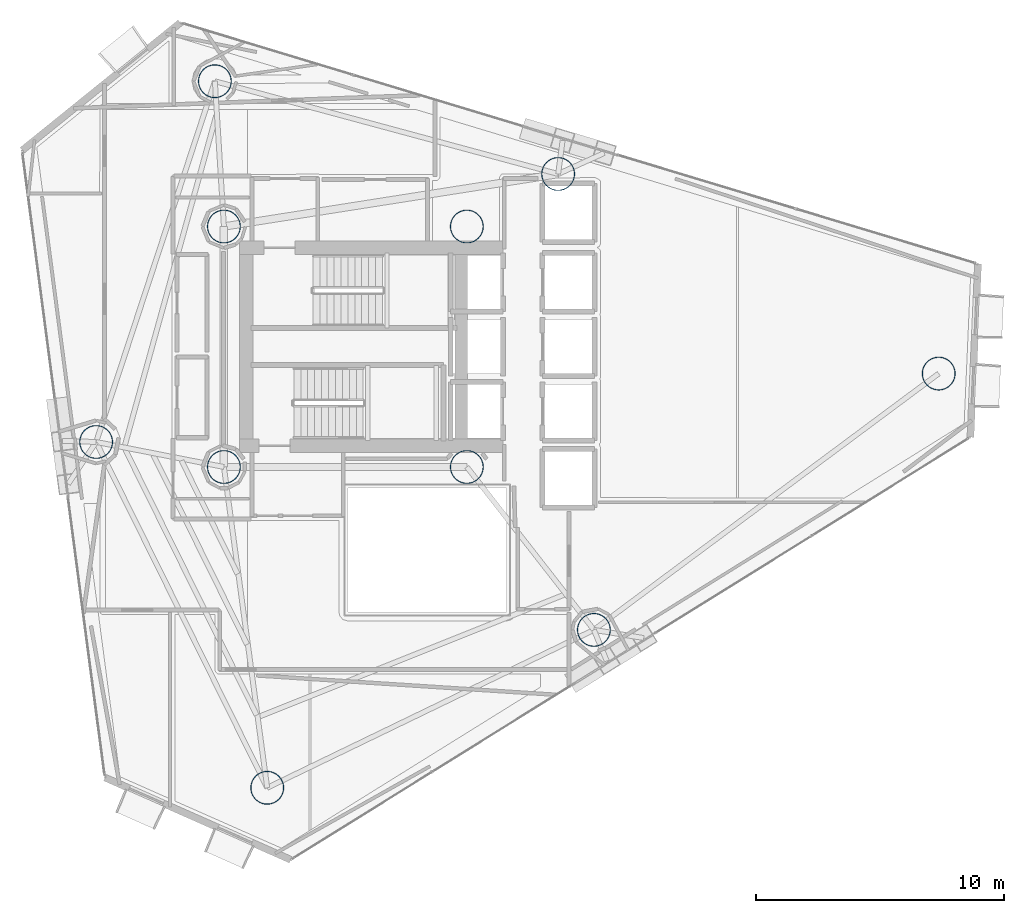
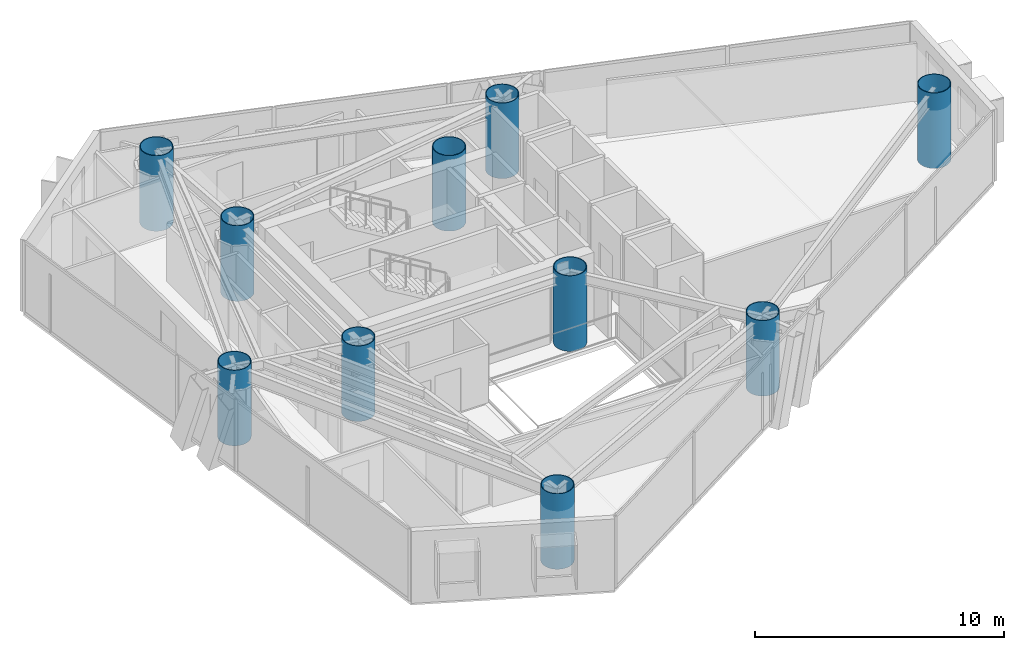
# One storey, part 1 of 22: 10 columns.
"""IFC4 building model written with IfcOpenShell, lengths in metres."""

from ifc_helpers import new_model, si_unit, direction, frame, origin, origin_2d, place, context, subcontext, project, spatial, hollow_circle, extrude, material, material_profile, profile_set, type_object, element, save


model = new_model("IFC4")

# Units and contexts
model_context = context("Model", 3, precision=1e-05, world=origin(), true_north=direction((0.0, 1.0)))
body_context = subcontext(model_context, "Body", "Model", "MODEL_VIEW")
ifc_project = project(units=[si_unit("LENGTHUNIT", "METRE"), si_unit("AREAUNIT", "SQUARE_METRE"), si_unit("VOLUMEUNIT", "CUBIC_METRE"), si_unit("PLANEANGLEUNIT", "RADIAN"), si_unit("MASSUNIT", "GRAM", prefix="KILO")], contexts=[model_context])

# Site, building, storey
site_placement = place(None, origin())
site = spatial("IfcSite", under=ifc_project, at=site_placement, CompositionType="ELEMENT")
building_placement = place(site_placement, origin())
building = spatial("IfcBuilding", under=site, at=building_placement, Name="Qianvela Tower", CompositionType="ELEMENT")
storey_placement = place(building_placement, frame((0.0, 0.0, 177.199951171875)))
storey = spatial("IfcBuildingStorey", under=building, at=storey_placement, Name="L45", CompositionType="ELEMENT", Elevation=177.199951171875)

# Columns
ifc_material = material(Name="Steel Q420GJC", Category="steel")
ifc_material_profile = material_profile(ifc_material, hollow_circle(Radius=0.675048828125, WallThickness=0.031982421875, at=origin_2d()), Name="CFT-1350x32")
ifc_profile_set = profile_set([ifc_material_profile], Name="Steel Q420GJC")
column_type = type_object("IfcColumnType", Name="COL-CFT-1350x32", PredefinedType="COLUMN", material=ifc_profile_set)
for number, where, z_axis, x_axis, name in (
    (1, (28.60009765625, 33.550048828125, 0.0), (0.0, 0.0, 1.0), (1.0, 0.0, 0.0), "L45 Core Corner Mega-Column CC-NW"),
    (2, (28.60009765625, 23.85009765625, 0.0), (0.0, 0.0, 1.0), (1.0, 0.0, 0.0), "L45 Core Corner Mega-Column CC-SW"),
    (3, (38.39990234375, 33.550048828125, 0.0), (0.0, 0.0, 1.0), (1.0, 0.0, 0.0), "L45 Core Corner Mega-Column CC-NE"),
    (4, (38.39990234375, 23.85009765625, 0.0), (0.0, 0.0, 1.0), (1.0, 0.0, 0.0), "L45 Core Corner Mega-Column CC-SE"),
    (5, (57.43408203125, 27.617919921875, 0.0), (0.0, 0.0, 1.0), (1.0, 0.0, 0.0), "L45 Zone Z4 CFT Mega-Column C1"),
    (6, (42.0830078125, 35.6689453125, 0.0), (0.0, 0.0, 1.0), (1.0, 0.0, 0.0), "L45 Zone Z4 CFT Mega-Column C2"),
    (7, (28.235107421875, 39.410888671875, 0.0), (0.0, 0.0, 1.0), (1.0, 0.0, 0.0), "L45 Zone Z4 CFT Mega-Column C3"),
    (8, (23.446044921875, 24.85888671875, 0.0), (0.0, 0.0, 1.0), (1.0, 0.0, 0.0), "L45 Zone Z4 CFT Mega-Column C4"),
    (9, (30.346923828125, 10.908935546875, 0.0), (0.0, 0.0, 1.0), (1.0, 0.0, 0.0), "L45 Zone Z4 CFT Mega-Column C5"),
    (10, (43.52490234375, 17.279052734375, 0.0), (0.0, 0.0, 1.0), (1.0, 0.0, 0.0), "L45 Zone Z4 CFT Mega-Column C6"),
):
    element("IfcColumn", number, at=place(storey_placement, frame(where, z_axis=z_axis, x_axis=x_axis)), inside=storey, type_object=column_type, Name=name, PredefinedType="COLUMN", context=body_context, shape_type="SweptSolid", body=[
        extrude(hollow_circle(Radius=0.675048828125, WallThickness=0.031982421875, at=origin_2d()), origin(), (0.0, 0.0, 1.0), 3.699951171875),
    ])

save(model, "model.ifc")
